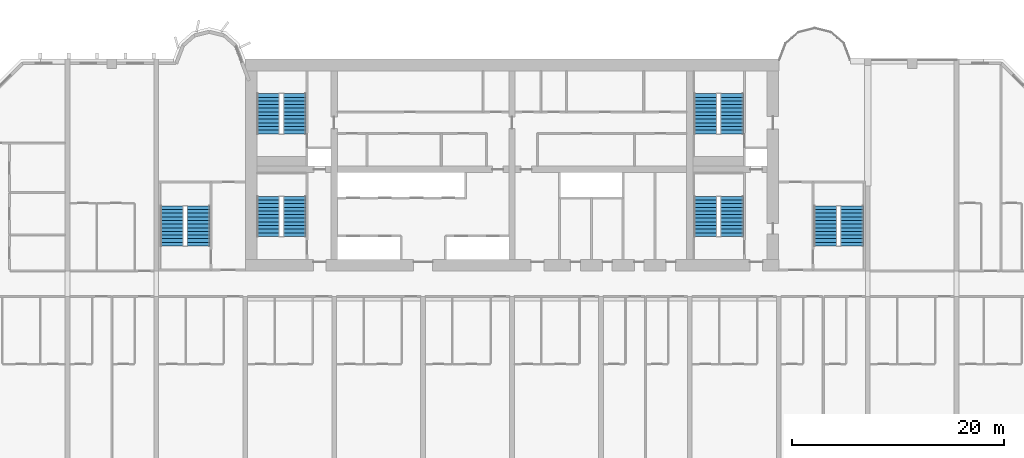
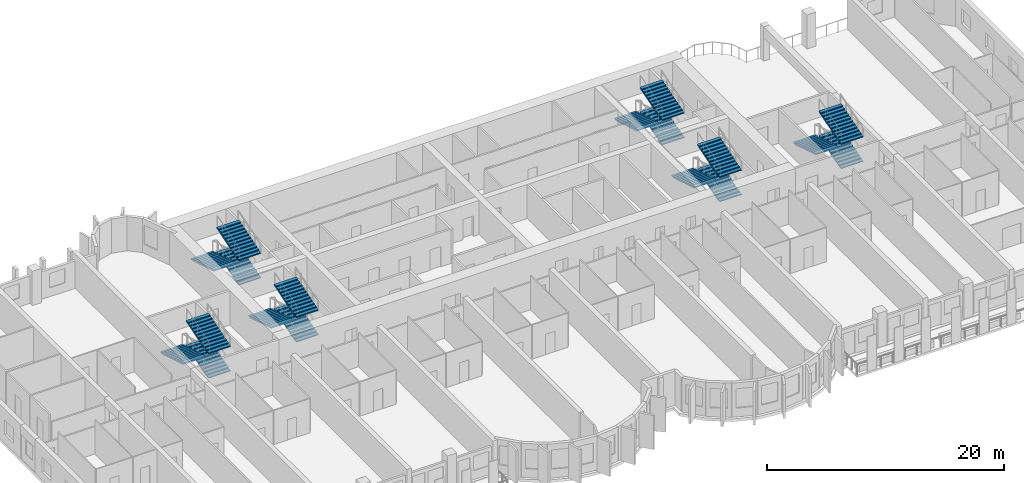
# One storey, part 11 of 14: 18 stair flights, 6 elements without a shape of their own.
"""IFC4 building model written with IfcOpenShell, lengths in metres."""

import ifcopenshell
import ifcopenshell.guid

model = None  # the IFC model being written
_history = None  # IfcOwnerHistory: only IFC2X3 demands one
_inside = {}  # id of a spatial element -> (the spatial element, [elements in it])
_under = {}  # id of a project, library or spatial element -> (it, [spatial elements below it])
_declared = {}  # id of a project -> (the project, [libraries it declares])
_typed = {}  # id of a type object -> (the type object, [elements of that type])
_made_of = {}  # id of a material, layer set ... -> (it, [elements and type objects made of it])


def new_model(schema):
    """Start an empty IFC model of exactly this schema.

    Asked for "IFC4X3", IfcOpenShell would pick the latest addendum, in which some entities
    have other attributes; the version numbers below select the first issue.
    IFC2X3 requires an IfcOwnerHistory on every rooted entity: one is made here for all.
    """
    global model, _history
    if schema == "IFC4X3":
        model = ifcopenshell.file(schema_version=(4, 3, 0, 0))
    else:
        model = ifcopenshell.file(schema=schema)
    _inside.clear()
    _under.clear()
    _declared.clear()
    _typed.clear()
    _made_of.clear()
    _history = None
    if model.schema == "IFC2X3":
        org = make("IfcOrganization", Name="unknown")
        user = make(
            "IfcPersonAndOrganization",
            ThePerson=make("IfcPerson", FamilyName="unknown"),
            TheOrganization=org,
        )
        app = make(
            "IfcApplication",
            ApplicationDeveloper=org,
            Version="unknown",
            ApplicationFullName="unknown",
            ApplicationIdentifier="unknown",
        )
        _history = make(
            "IfcOwnerHistory",
            OwningUser=user,
            OwningApplication=app,
            ChangeAction="ADDED",
            CreationDate=0,
        )
    return model


def make(cls, **values):
    """One entity of the class cls with the attributes given. An attribute that is None is left unset."""
    return model.create_entity(
        cls, **{name: value for name, value in values.items() if value is not None}
    )


def rooted(cls, **values):
    """An entity with a GlobalId (a new one), such as an element, a storey or a relation."""
    return make(cls, GlobalId=ifcopenshell.guid.new(), OwnerHistory=_history, **values)


def si_unit(unit_type, name, prefix=None):
    """IfcSIUnit, for example si_unit("LENGTHUNIT", "METRE", prefix="MILLI")."""
    return make("IfcSIUnit", UnitType=unit_type, Prefix=prefix, Name=name)


def assignment(units):
    """IfcUnitAssignment: the units of a project."""
    return None if units is None else make("IfcUnitAssignment", Units=units)


def point(xyz):
    """IfcCartesianPoint."""
    return None if xyz is None else make("IfcCartesianPoint", Coordinates=xyz)


def direction(xyz):
    """IfcDirection."""
    return None if xyz is None else make("IfcDirection", DirectionRatios=xyz)


def frame(location, z_axis=None, x_axis=None):
    """IfcAxis2Placement3D, a coordinate frame: its origin and axes. An axis left out is left unset."""
    return make(
        "IfcAxis2Placement3D",
        Location=point(location),
        Axis=direction(z_axis),
        RefDirection=direction(x_axis),
    )


def origin():
    """The frame at (0, 0, 0) with its axes left unset."""
    return frame((0.0, 0.0, 0.0))


def place(relative_to, where):
    """IfcLocalPlacement: puts the frame where relative to a parent placement (None: the world)."""
    return make(
        "IfcLocalPlacement", PlacementRelTo=relative_to, RelativePlacement=where
    )


def context(
    kind, dimensions, precision=None, world=None, true_north=None, identifier=None
):
    """IfcGeometricRepresentationContext, for example the 3D "Model" context."""
    return make(
        "IfcGeometricRepresentationContext",
        ContextIdentifier=identifier,
        ContextType=kind,
        CoordinateSpaceDimension=dimensions,
        Precision=precision,
        WorldCoordinateSystem=world,
        TrueNorth=true_north,
    )


def subcontext(parent, identifier, kind, view, scale=None):
    """IfcGeometricRepresentationSubContext, for example "Body" below "Model"."""
    return make(
        "IfcGeometricRepresentationSubContext",
        ContextIdentifier=identifier,
        ContextType=kind,
        ParentContext=parent,
        TargetScale=scale,
        TargetView=view,
    )


def project(units=None, contexts=None):
    """IfcProject with its units and contexts."""
    return rooted(
        "IfcProject",
        Name="project",
        RepresentationContexts=contexts,
        UnitsInContext=assignment(units),
    )


def spatial(cls, under=None, at=None, **own):
    """A site, building, storey or space (cls), placed at a placement, below another one or the project."""
    s = rooted(cls, ObjectPlacement=at, **own)
    if under is not None:
        _under.setdefault(under.id(), (under, []))[1].append(s)
    return s


def polyline(points):
    """IfcPolyline through the points."""
    return make("IfcPolyline", Points=[point(p) for p in points])


def outline(outer, holes=None, kind="AREA"):
    """IfcArbitraryClosedProfileDef: a profile drawn as a closed curve; with holes, ...WithVoids."""
    if holes is None:
        return make("IfcArbitraryClosedProfileDef", ProfileType=kind, OuterCurve=outer)
    return make(
        "IfcArbitraryProfileDefWithVoids",
        ProfileType=kind,
        OuterCurve=outer,
        InnerCurves=holes,
    )


def extrude(swept, where, along, depth):
    """IfcExtrudedAreaSolid: the profile swept, set in the frame where, extruded along a direction by depth."""
    return make(
        "IfcExtrudedAreaSolid",
        SweptArea=swept,
        Position=where,
        ExtrudedDirection=direction(along),
        Depth=depth,
    )


def shape(context_of_items, identifier, shape_type, items):
    """IfcShapeRepresentation: the items that make up one representation, for example the "Body"."""
    return make(
        "IfcShapeRepresentation",
        ContextOfItems=context_of_items,
        RepresentationIdentifier=identifier,
        RepresentationType=shape_type,
        Items=items,
    )


def source(mapping_origin, context_of_items, identifier, shape_type, items):
    """IfcRepresentationMap: a shape defined once, which mapped items show again and again."""
    return make(
        "IfcRepresentationMap",
        MappingOrigin=mapping_origin,
        MappedRepresentation=shape(context_of_items, identifier, shape_type, items),
    )


def transform(
    local_origin,
    x_axis=None,
    y_axis=None,
    z_axis=None,
    scale=None,
    scale2=None,
    scale3=None,
    uniform=True,
):
    """IfcCartesianTransformationOperator3D, or its non-uniform kind. x_axis, y_axis, z_axis: its Axis1, 2, 3."""
    if uniform:
        return make(
            "IfcCartesianTransformationOperator3D",
            Axis1=direction(x_axis),
            Axis2=direction(y_axis),
            LocalOrigin=point(local_origin),
            Scale=scale,
            Axis3=direction(z_axis),
        )
    return make(
        "IfcCartesianTransformationOperator3DnonUniform",
        Axis1=direction(x_axis),
        Axis2=direction(y_axis),
        LocalOrigin=point(local_origin),
        Scale=scale,
        Axis3=direction(z_axis),
        Scale2=scale2,
        Scale3=scale3,
    )


def mapped(mapping_source, mapping_target):
    """IfcMappedItem: shows the shape of a source again, moved by a transform."""
    return make(
        "IfcMappedItem", MappingSource=mapping_source, MappingTarget=mapping_target
    )


def material(Name=None, Category=None):
    """IfcMaterial."""
    return make("IfcMaterial", Name=Name, Category=Category)


def made_of(thing, what):
    """Note that an element or type object is made of a material, layer set ...; save() writes the relation."""
    if what is not None:
        _made_of.setdefault(what.id(), (what, []))[1].append(thing)
    return thing


def type_object(cls, material=None, **own):
    """A type object (cls), such as IfcWallType, which elements share."""
    return made_of(rooted(cls, **own), material)


def element(
    cls,
    number,
    at=None,
    inside=None,
    cuts=None,
    type_object=None,
    material=None,
    context=None,
    identifier="Body",
    shape_type=None,
    held_by="IfcProductDefinitionShape",
    body=None,
    shapes=None,
    **own,
):
    """One element of the class cls, such as IfcWall. Its Tag is "e" and its number.

    at: its placement. inside: the storey or other place that contains it. cuts: it is an
    opening in that element (IfcRelVoidsElement). A single representation is given by context,
    identifier, shape_type and body (its items); several are given by shapes. held_by: the class
    of the entity that holds the representations. save() writes the other relations.
    """
    e = rooted(cls, Tag="e%d" % number, ObjectPlacement=at, **own)
    if body is not None:
        shapes = [shape(context, identifier, shape_type, body)]
    if shapes is not None:
        e.Representation = make(held_by, Representations=shapes)
    if inside is not None:
        _inside.setdefault(inside.id(), (inside, []))[1].append(e)
    if cuts is not None:
        rooted(
            "IfcRelVoidsElement", RelatingBuildingElement=cuts, RelatedOpeningElement=e
        )
    if type_object is not None:
        _typed.setdefault(type_object.id(), (type_object, []))[1].append(e)
    return made_of(e, material)


def aggregate(whole, parts):
    """IfcRelAggregates: a whole, such as a stair, and the parts it consists of."""
    return rooted("IfcRelAggregates", RelatingObject=whole, RelatedObjects=parts)


def save(model, path):
    """Write the relations noted so far, then the file.

    IfcRelAggregates (storeys below a building ...), IfcRelContainedInSpatialStructure (elements
    in a storey), IfcRelDefinesByType, IfcRelAssociatesMaterial and IfcRelDeclares: one each for
    every whole, place, type object, material and project.
    """
    for whole, parts in _under.values():
        aggregate(whole, parts)
    for where, things in _inside.values():
        rooted(
            "IfcRelContainedInSpatialStructure",
            RelatedElements=things,
            RelatingStructure=where,
        )
    for kind, things in _typed.values():
        rooted("IfcRelDefinesByType", RelatedObjects=things, RelatingType=kind)
    for what, things in _made_of.values():
        rooted("IfcRelAssociatesMaterial", RelatedObjects=things, RelatingMaterial=what)
    for by, libraries in _declared.values():
        rooted("IfcRelDeclares", RelatingContext=by, RelatedDefinitions=libraries)
    model.write(path)


model = new_model("IFC4")

# Units and contexts
model_context = context("Model", 3, precision=1e-05, world=origin(), true_north=direction((0.0, 1.0)))
body_context = subcontext(model_context, "Body", "Model", "MODEL_VIEW")
ifc_project = project(units=[si_unit("LENGTHUNIT", "METRE"), si_unit("AREAUNIT", "SQUARE_METRE"), si_unit("VOLUMEUNIT", "CUBIC_METRE"), si_unit("PLANEANGLEUNIT", "RADIAN"), si_unit("MASSUNIT", "GRAM", prefix="KILO")], contexts=[model_context])

# Site, building, storey
site_placement = place(None, origin())
site = spatial("IfcSite", under=ifc_project, at=site_placement, CompositionType="ELEMENT")
building_placement = place(site_placement, origin())
building = spatial("IfcBuilding", under=site, at=building_placement, Name="Vanashikhar Sky Hotel", CompositionType="ELEMENT")
storey_placement = place(building_placement, frame((0.0, 0.0, 43.0)))
storey = spatial("IfcBuildingStorey", under=building, at=storey_placement, Name="L09", CompositionType="ELEMENT", Elevation=43.0)

# Stair, stair flights
ifc_material = material(Name="Concrete M40", Category="concrete")
stair_type = type_object("IfcStairType", Name="Exit stair 2150", PredefinedType="DOUBLE_RETURN_STAIR", material=ifc_material)
stair_1_placement = place(storey_placement, origin())
stair_1 = element("IfcStair", 1, at=stair_1_placement, inside=storey, type_object=stair_type, Name="L09 Exit stair 1", PredefinedType="DOUBLE_RETURN_STAIR")
stair_flight_type = type_object("IfcStairFlightType", Name="Stair flight 2150", PredefinedType="STRAIGHT", material=ifc_material)
shared_shape = source(origin(), body_context, "Body", "SweptSolid", [
    extrude(outline(polyline([(0.0, 0.0), (0.0, 0.10546875), (0.345458984375, 0.10546875), (0.345458984375, 0.211181640625), (0.69091796875, 0.211181640625), (0.69091796875, 0.316650390625), (1.036376953125, 0.316650390625), (1.036376953125, 0.422119140625), (1.3818359375, 0.422119140625), (1.3818359375, 0.52783203125), (1.727294921875, 0.52783203125), (1.727294921875, 0.63330078125), (2.07275390625, 0.63330078125), (2.07275390625, 0.73876953125), (2.418212890625, 0.73876953125), (2.418212890625, 0.844482421875), (2.763671875, 0.844482421875), (2.763671875, 0.949951171875), (3.109130859375, 0.949951171875), (3.109130859375, 1.0556640625), (3.45458984375, 1.0556640625), (3.45458984375, 1.1611328125), (3.800048828125, 1.1611328125), (3.800048828125, 1.2666015625), (3.800048828125, 1.035400390625), (0.4111328125, 0.0), (0.0, 0.0)])), frame((0.0, 1.074951171875, 0.0), z_axis=(0.0, -1.0, 0.0), x_axis=(1.0, 0.0, 0.0)), (0.0, 0.0, 1.0), 2.14990234375),
])
stair_flight_1_placement = place(storey_placement, frame((29.875, 25.25, 0.0), z_axis=(0.0, 0.0, 1.0), x_axis=(0.0, 1.0, 0.0)))
stair_flight_1 = element("IfcStairFlight", 2, at=stair_flight_1_placement, type_object=stair_flight_type, Name="ST-C1 flight 1", NumberOfRisers=12, NumberOfTreads=11, PredefinedType="STRAIGHT", RiserHeight=0.105555556, TreadLength=0.345454545, context=body_context, shape_type="MappedRepresentation", body=[
    mapped(shared_shape, transform((0.0, 0.0, 0.0), scale=1.0)),
])
stair_flight_2_placement = place(storey_placement, frame((27.375, 29.050048828125, 1.2666015625), z_axis=(0.0, 0.0, 1.0), x_axis=(0.0, -1.0, 0.0)))
stair_flight_2 = element("IfcStairFlight", 3, at=stair_flight_2_placement, type_object=stair_flight_type, Name="ST-C1 flight 2", NumberOfRisers=12, NumberOfTreads=11, PredefinedType="STRAIGHT", RiserHeight=0.105555556, TreadLength=0.345454545, context=body_context, shape_type="MappedRepresentation", body=[
    mapped(shared_shape, transform((0.0, 0.0, 0.0), scale=1.0)),
])
stair_flight_3_placement = place(storey_placement, frame((29.875, 25.25, 2.533447265625), z_axis=(0.0, 0.0, 1.0), x_axis=(0.0, 1.0, 0.0)))
stair_flight_3 = element("IfcStairFlight", 4, at=stair_flight_3_placement, type_object=stair_flight_type, Name="ST-C1 flight 3", NumberOfRisers=12, NumberOfTreads=11, PredefinedType="STRAIGHT", RiserHeight=0.105555556, TreadLength=0.345454545, context=body_context, shape_type="MappedRepresentation", body=[
    mapped(shared_shape, transform((0.0, 0.0, 0.0), scale=1.0)),
])
aggregate(stair_1, [stair_flight_1, stair_flight_2, stair_flight_3])

stair_2_placement = place(storey_placement, origin())
stair_2 = element("IfcStair", 5, at=stair_2_placement, inside=storey, type_object=stair_type, Name="L09 Exit stair 2", PredefinedType="DOUBLE_RETURN_STAIR")
stair_flight_4_placement = place(storey_placement, frame((71.175048828125, 25.25, 0.0), z_axis=(0.0, 0.0, 1.0), x_axis=(0.0, 1.0, 0.0)))
stair_flight_4 = element("IfcStairFlight", 6, at=stair_flight_4_placement, type_object=stair_flight_type, Name="ST-C2 flight 1", NumberOfRisers=12, NumberOfTreads=11, PredefinedType="STRAIGHT", RiserHeight=0.105555556, TreadLength=0.345454545, context=body_context, shape_type="MappedRepresentation", body=[
    mapped(shared_shape, transform((0.0, 0.0, 0.0), scale=1.0)),
])
stair_flight_5_placement = place(storey_placement, frame((68.675048828125, 29.050048828125, 1.2666015625), z_axis=(0.0, 0.0, 1.0), x_axis=(0.0, -1.0, 0.0)))
stair_flight_5 = element("IfcStairFlight", 7, at=stair_flight_5_placement, type_object=stair_flight_type, Name="ST-C2 flight 2", NumberOfRisers=12, NumberOfTreads=11, PredefinedType="STRAIGHT", RiserHeight=0.105555556, TreadLength=0.345454545, context=body_context, shape_type="MappedRepresentation", body=[
    mapped(shared_shape, transform((0.0, 0.0, 0.0), scale=1.0)),
])
stair_flight_6_placement = place(storey_placement, frame((71.175048828125, 25.25, 2.533447265625), z_axis=(0.0, 0.0, 1.0), x_axis=(0.0, 1.0, 0.0)))
stair_flight_6 = element("IfcStairFlight", 8, at=stair_flight_6_placement, type_object=stair_flight_type, Name="ST-C2 flight 3", NumberOfRisers=12, NumberOfTreads=11, PredefinedType="STRAIGHT", RiserHeight=0.105555556, TreadLength=0.345454545, context=body_context, shape_type="MappedRepresentation", body=[
    mapped(shared_shape, transform((0.0, 0.0, 0.0), scale=1.0)),
])
aggregate(stair_2, [stair_flight_4, stair_flight_5, stair_flight_6])

stair_3_placement = place(storey_placement, origin())
stair_3 = element("IfcStair", 9, at=stair_3_placement, inside=storey, type_object=stair_type, Name="L09 Exit stair 3", PredefinedType="DOUBLE_RETURN_STAIR")
stair_flight_7_placement = place(storey_placement, frame((20.77490234375, 24.35009765625, 0.0), z_axis=(0.0, 0.0, 1.0), x_axis=(0.0, 1.0, 0.0)))
stair_flight_7 = element("IfcStairFlight", 10, at=stair_flight_7_placement, type_object=stair_flight_type, Name="ST-W flight 1", NumberOfRisers=12, NumberOfTreads=11, PredefinedType="STRAIGHT", RiserHeight=0.105555556, TreadLength=0.345454545, context=body_context, shape_type="MappedRepresentation", body=[
    mapped(shared_shape, transform((0.0, 0.0, 0.0), scale=1.0)),
])
stair_flight_8_placement = place(storey_placement, frame((18.27490234375, 28.14990234375, 1.2666015625), z_axis=(0.0, 0.0, 1.0), x_axis=(0.0, -1.0, 0.0)))
stair_flight_8 = element("IfcStairFlight", 11, at=stair_flight_8_placement, type_object=stair_flight_type, Name="ST-W flight 2", NumberOfRisers=12, NumberOfTreads=11, PredefinedType="STRAIGHT", RiserHeight=0.105555556, TreadLength=0.345454545, context=body_context, shape_type="MappedRepresentation", body=[
    mapped(shared_shape, transform((0.0, 0.0, 0.0), scale=1.0)),
])
stair_flight_9_placement = place(storey_placement, frame((20.77490234375, 24.35009765625, 2.533447265625), z_axis=(0.0, 0.0, 1.0), x_axis=(0.0, 1.0, 0.0)))
stair_flight_9 = element("IfcStairFlight", 12, at=stair_flight_9_placement, type_object=stair_flight_type, Name="ST-W flight 3", NumberOfRisers=12, NumberOfTreads=11, PredefinedType="STRAIGHT", RiserHeight=0.105555556, TreadLength=0.345454545, context=body_context, shape_type="MappedRepresentation", body=[
    mapped(shared_shape, transform((0.0, 0.0, 0.0), scale=1.0)),
])
aggregate(stair_3, [stair_flight_7, stair_flight_8, stair_flight_9])

stair_4_placement = place(storey_placement, origin())
stair_4 = element("IfcStair", 13, at=stair_4_placement, inside=storey, type_object=stair_type, Name="L09 Exit stair 4", PredefinedType="DOUBLE_RETURN_STAIR")
stair_flight_10_placement = place(storey_placement, frame((82.52490234375, 24.35009765625, 0.0), z_axis=(0.0, 0.0, 1.0), x_axis=(0.0, 1.0, 0.0)))
stair_flight_10 = element("IfcStairFlight", 14, at=stair_flight_10_placement, type_object=stair_flight_type, Name="ST-E flight 1", NumberOfRisers=12, NumberOfTreads=11, PredefinedType="STRAIGHT", RiserHeight=0.105555556, TreadLength=0.345454545, context=body_context, shape_type="MappedRepresentation", body=[
    mapped(shared_shape, transform((0.0, 0.0, 0.0), scale=1.0)),
])
stair_flight_11_placement = place(storey_placement, frame((80.02490234375, 28.14990234375, 1.2666015625), z_axis=(0.0, 0.0, 1.0), x_axis=(0.0, -1.0, 0.0)))
stair_flight_11 = element("IfcStairFlight", 15, at=stair_flight_11_placement, type_object=stair_flight_type, Name="ST-E flight 2", NumberOfRisers=12, NumberOfTreads=11, PredefinedType="STRAIGHT", RiserHeight=0.105555556, TreadLength=0.345454545, context=body_context, shape_type="MappedRepresentation", body=[
    mapped(shared_shape, transform((0.0, 0.0, 0.0), scale=1.0)),
])
stair_flight_12_placement = place(storey_placement, frame((82.52490234375, 24.35009765625, 2.533447265625), z_axis=(0.0, 0.0, 1.0), x_axis=(0.0, 1.0, 0.0)))
stair_flight_12 = element("IfcStairFlight", 16, at=stair_flight_12_placement, type_object=stair_flight_type, Name="ST-E flight 3", NumberOfRisers=12, NumberOfTreads=11, PredefinedType="STRAIGHT", RiserHeight=0.105555556, TreadLength=0.345454545, context=body_context, shape_type="MappedRepresentation", body=[
    mapped(shared_shape, transform((0.0, 0.0, 0.0), scale=1.0)),
])
aggregate(stair_4, [stair_flight_10, stair_flight_11, stair_flight_12])

stair_5_placement = place(storey_placement, origin())
stair_5 = element("IfcStair", 17, at=stair_5_placement, inside=storey, type_object=stair_type, Name="L09 Exit stair 5", PredefinedType="DOUBLE_RETURN_STAIR")
stair_flight_13_placement = place(storey_placement, frame((29.875, 34.949951171875, 0.0), z_axis=(0.0, 0.0, 1.0), x_axis=(0.0, 1.0, 0.0)))
stair_flight_13 = element("IfcStairFlight", 18, at=stair_flight_13_placement, type_object=stair_flight_type, Name="ST-C3 flight 1", NumberOfRisers=12, NumberOfTreads=11, PredefinedType="STRAIGHT", RiserHeight=0.105555556, TreadLength=0.345454545, context=body_context, shape_type="MappedRepresentation", body=[
    mapped(shared_shape, transform((0.0, 0.0, 0.0), scale=1.0)),
])
stair_flight_14_placement = place(storey_placement, frame((27.375, 38.75, 1.2666015625), z_axis=(0.0, 0.0, 1.0), x_axis=(0.0, -1.0, 0.0)))
stair_flight_14 = element("IfcStairFlight", 19, at=stair_flight_14_placement, type_object=stair_flight_type, Name="ST-C3 flight 2", NumberOfRisers=12, NumberOfTreads=11, PredefinedType="STRAIGHT", RiserHeight=0.105555556, TreadLength=0.345454545, context=body_context, shape_type="MappedRepresentation", body=[
    mapped(shared_shape, transform((0.0, 0.0, 0.0), scale=1.0)),
])
stair_flight_15_placement = place(storey_placement, frame((29.875, 34.949951171875, 2.533447265625), z_axis=(0.0, 0.0, 1.0), x_axis=(0.0, 1.0, 0.0)))
stair_flight_15 = element("IfcStairFlight", 20, at=stair_flight_15_placement, type_object=stair_flight_type, Name="ST-C3 flight 3", NumberOfRisers=12, NumberOfTreads=11, PredefinedType="STRAIGHT", RiserHeight=0.105555556, TreadLength=0.345454545, context=body_context, shape_type="MappedRepresentation", body=[
    mapped(shared_shape, transform((0.0, 0.0, 0.0), scale=1.0)),
])
aggregate(stair_5, [stair_flight_13, stair_flight_14, stair_flight_15])

stair_6_placement = place(storey_placement, origin())
stair_6 = element("IfcStair", 21, at=stair_6_placement, inside=storey, type_object=stair_type, Name="L09 Exit stair 6", PredefinedType="DOUBLE_RETURN_STAIR")
stair_flight_16_placement = place(storey_placement, frame((71.175048828125, 34.949951171875, 0.0), z_axis=(0.0, 0.0, 1.0), x_axis=(0.0, 1.0, 0.0)))
stair_flight_16 = element("IfcStairFlight", 22, at=stair_flight_16_placement, type_object=stair_flight_type, Name="ST-C4 flight 1", NumberOfRisers=12, NumberOfTreads=11, PredefinedType="STRAIGHT", RiserHeight=0.105555556, TreadLength=0.345454545, context=body_context, shape_type="MappedRepresentation", body=[
    mapped(shared_shape, transform((0.0, 0.0, 0.0), scale=1.0)),
])
stair_flight_17_placement = place(storey_placement, frame((68.675048828125, 38.75, 1.2666015625), z_axis=(0.0, 0.0, 1.0), x_axis=(0.0, -1.0, 0.0)))
stair_flight_17 = element("IfcStairFlight", 23, at=stair_flight_17_placement, type_object=stair_flight_type, Name="ST-C4 flight 2", NumberOfRisers=12, NumberOfTreads=11, PredefinedType="STRAIGHT", RiserHeight=0.105555556, TreadLength=0.345454545, context=body_context, shape_type="MappedRepresentation", body=[
    mapped(shared_shape, transform((0.0, 0.0, 0.0), scale=1.0)),
])
stair_flight_18_placement = place(storey_placement, frame((71.175048828125, 34.949951171875, 2.533447265625), z_axis=(0.0, 0.0, 1.0), x_axis=(0.0, 1.0, 0.0)))
stair_flight_18 = element("IfcStairFlight", 24, at=stair_flight_18_placement, type_object=stair_flight_type, Name="ST-C4 flight 3", NumberOfRisers=12, NumberOfTreads=11, PredefinedType="STRAIGHT", RiserHeight=0.105555556, TreadLength=0.345454545, context=body_context, shape_type="MappedRepresentation", body=[
    mapped(shared_shape, transform((0.0, 0.0, 0.0), scale=1.0)),
])
aggregate(stair_6, [stair_flight_16, stair_flight_17, stair_flight_18])

save(model, "model.ifc")
